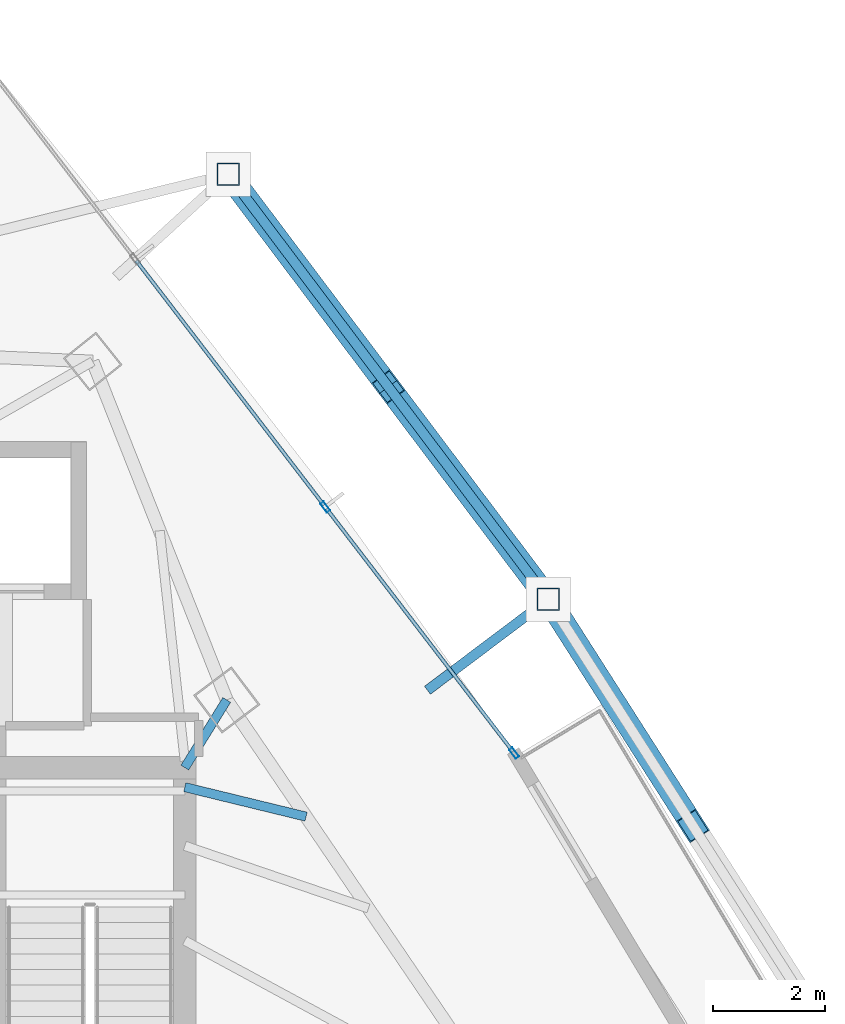
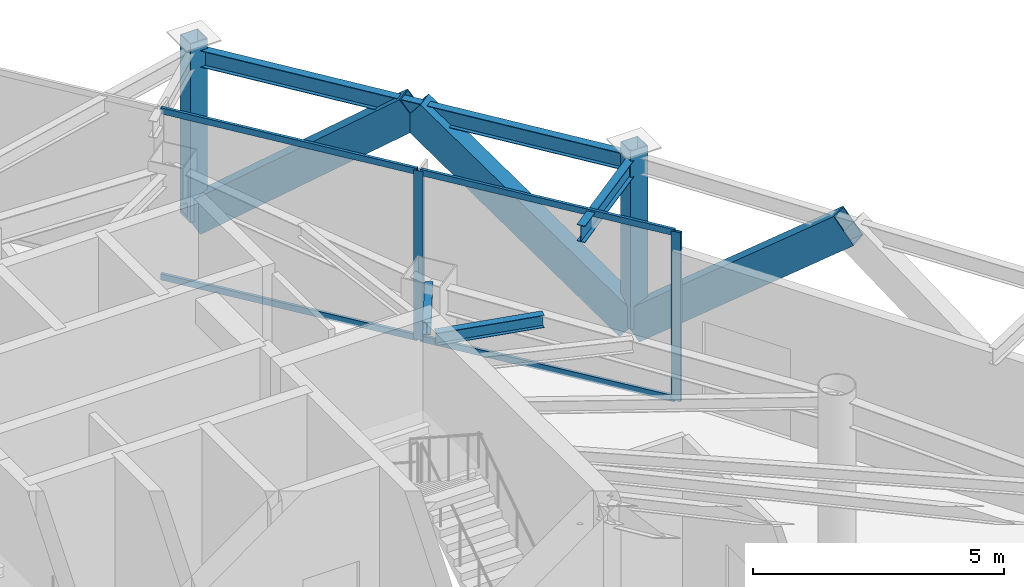
# One storey, part 22 of 28: 11 members, 4 beams, 1 element without a shape of its own.
"""IFC4 building model written with IfcOpenShell, lengths in metres."""

from ifc_helpers import new_model, si_unit, direction, frame, origin, origin_2d, place, context, subcontext, project, spatial, hollow_rectangle, i_section, extrude, material, layer, layer_set, material_profile, profile_set, type_object, element, aggregate, save


model = new_model("IFC4")

# Units and contexts
model_context = context("Model", 3, precision=1e-05, world=origin(), true_north=direction((0.0, 1.0)))
body_context = subcontext(model_context, "Body", "Model", "MODEL_VIEW")
ifc_project = project(units=[si_unit("LENGTHUNIT", "METRE"), si_unit("AREAUNIT", "SQUARE_METRE"), si_unit("VOLUMEUNIT", "CUBIC_METRE"), si_unit("PLANEANGLEUNIT", "RADIAN"), si_unit("MASSUNIT", "GRAM", prefix="KILO")], contexts=[model_context])

# Site, building, storey
site_placement = place(None, origin())
site = spatial("IfcSite", under=ifc_project, at=site_placement, CompositionType="ELEMENT")
building_placement = place(site_placement, origin())
building = spatial("IfcBuilding", under=site, at=building_placement, Name="Orvanel Arch Residences", CompositionType="ELEMENT")
storey_placement = place(building_placement, frame((0.0, 0.0, 146.300048828125)))
storey = spatial("IfcBuildingStorey", under=building, at=storey_placement, Name="L41", CompositionType="ELEMENT", Elevation=146.300048828125)

# Beams
ifc_material_1 = material(Name="Structural steel AS/NZS 3679.1 Grade 300 (300 MPa)", Category="steel")
ifc_material_profile_1 = material_profile(ifc_material_1, i_section(OverallWidth=0.1650390625, OverallDepth=0.303955078125, WebThickness=0.006103515625, FlangeThickness=0.01025390625, at=origin_2d()), Name="310UB40.4")
ifc_profile_set_1 = profile_set([ifc_material_profile_1], Name="Structural steel AS/NZS 3679.1 Grade 300 (300 MPa)")
beam_type_1 = type_object("IfcBeamType", Name="BJ-310UB", PredefinedType="JOIST", material=ifc_profile_set_1)
beam_1_placement = place(storey_placement, frame((39.60009765625, 33.89990234375, 3.9580078125), z_axis=(0.526843290616, 0.84996243866, 0.0), x_axis=(-0.84996243866, 0.526843290616, 0.0)))
element("IfcBeam", 1, at=beam_1_placement, inside=storey, type_object=beam_type_1, Name="L41 NNE Wing Floor Joist", PredefinedType="JOIST", context=body_context, shape_type="SweptSolid", body=[
    extrude(i_section(OverallWidth=0.1650390625, OverallDepth=0.303955078125, WebThickness=0.006103515625, FlangeThickness=0.01025390625, at=origin_2d()), origin(), (0.0, 0.0, 1.0), 1.42724609375),
])
beam_2_placement = place(storey_placement, frame((39.60009765625, 33.550048828125, 3.9580078125), z_axis=(0.971638471014, -0.236471312521, 0.0), x_axis=(0.236471312521, 0.971638471014, 0.0)))
element("IfcBeam", 2, at=beam_2_placement, inside=storey, type_object=beam_type_1, Name="L41 JADD4 Wing Floor Joist", PredefinedType="JOIST", context=body_context, shape_type="SweptSolid", body=[
    extrude(i_section(OverallWidth=0.1650390625, OverallDepth=0.303955078125, WebThickness=0.006103515625, FlangeThickness=0.01025390625, at=origin_2d()), origin(), (0.0, 0.0, 1.0), 2.2373046875),
])

# Members
ifc_material_2 = material(Name="Structural steel AS/NZS 3678 Grade 350", Category="steel")
ifc_material_profile_2 = material_profile(ifc_material_2, hollow_rectangle(XDim=0.419921875, YDim=0.719970703125, WallThickness=0.02490234375, at=origin_2d()), Name="RHS720x420x25")
ifc_profile_set_2 = profile_set([ifc_material_profile_2], Name="Structural steel AS/NZS 3678 Grade 350")
member_type_1 = type_object("IfcMemberType", Name="BR-720RHS-EXT", PredefinedType="BRACE", material=ifc_profile_set_2)
member_1_placement = place(storey_placement, frame((46.114990234375, 36.916015625, 0.0), z_axis=(0.41779298307, -0.654659126397, 0.629976548391), x_axis=(0.842965738778, 0.537967251091, 0.0)))
element("IfcMember", 3, at=member_1_placement, inside=storey, type_object=member_type_1, Name="L41 Exterior Sky-Garden V-Frame Chevron F3B2.2", PredefinedType="BRACE", context=body_context, shape_type="SweptSolid", body=[
    extrude(hollow_rectangle(XDim=0.419921875, YDim=0.719970703125, WallThickness=0.02490234375, at=origin_2d()), origin(), (0.0, 0.0, 1.0), 6.201904296875),
])
member_2_placement = place(storey_placement, frame((46.114990234375, 36.916015625, 0.0), z_axis=(-0.465168119663, 0.617873825301, 0.633916837177), x_axis=(-0.798904645039, -0.601457702698, 0.0)))
element("IfcMember", 4, at=member_2_placement, inside=storey, type_object=member_type_1, Name="L41 Exterior Sky-Garden V-Frame Chevron F3B3.1", PredefinedType="BRACE", context=body_context, shape_type="SweptSolid", body=[
    extrude(hollow_rectangle(XDim=0.419921875, YDim=0.719970703125, WallThickness=0.02490234375, at=origin_2d()), origin(), (0.0, 0.0, 1.0), 6.163330078125),
])
member_3_placement = place(storey_placement, frame((40.3798828125, 44.531982421875, 0.0), z_axis=(0.465334690139, -0.617792403992, 0.63387393993), x_axis=(0.798763056503, 0.60164572596, 0.0)))
element("IfcMember", 5, at=member_3_placement, inside=storey, type_object=member_type_1, Name="L41 Exterior Sky-Garden V-Frame Chevron F3B3.2", PredefinedType="BRACE", context=body_context, shape_type="SweptSolid", body=[
    extrude(hollow_rectangle(XDim=0.419921875, YDim=0.719970703125, WallThickness=0.02490234375, at=origin_2d()), origin(), (0.0, 0.0, 1.0), 6.16357421875),
])

# Curtain wall, members
ifc_material_3 = material(Name="Bronze-anodised aluminium AA6063-T6", Category="aluminium")
ifc_layer = layer(ifc_material_3, 0.195068359375)
ifc_layer_set = layer_set([ifc_layer], Name="Bronze-anodised aluminium AA6063-T6")
curtain_wall_type = type_object("IfcCurtainWallType", Name="CW6-COM-SYS", PredefinedType="NOTDEFINED", material=ifc_layer_set)
curtain_wall_placement = place(storey_placement, origin())
curtain_wall = element("IfcCurtainWall", 6, at=curtain_wall_placement, inside=storey, type_object=curtain_wall_type, Name="L41 CW6-COM-SYS Unitised Curtain Wall", PredefinedType="NOTDEFINED")
ifc_material_profile_3 = material_profile(ifc_material_3, hollow_rectangle(XDim=0.074951171875, YDim=0.199951171875, WallThickness=0.0048828125, at=origin_2d()), Name="ALU200x75x5")
ifc_profile_set_3 = profile_set([ifc_material_profile_3], Name="Bronze-anodised aluminium AA6063-T6")
member_type_2 = type_object("IfcMemberType", Name="MUL-200x75", PredefinedType="MULLION", material=ifc_profile_set_3)
member_4_placement = place(storey_placement, frame((45.502197265625, 34.15966796875, 0.0), z_axis=(0.0, 0.0, 1.0), x_axis=(-0.793400272158, -0.608700261327, 0.0)))
member_4 = element("IfcMember", 7, at=member_4_placement, type_object=member_type_2, Name="CW-S6 mullion 1", PredefinedType="MULLION", context=body_context, shape_type="SweptSolid", body=[
    extrude(hollow_rectangle(XDim=0.074951171875, YDim=0.199951171875, WallThickness=0.0048828125, at=origin_2d()), origin(), (0.0, 0.0, 1.0), 4.10986328125),
])
member_5_placement = place(storey_placement, frame((42.117431640625, 38.57177734375, 0.0), z_axis=(0.0, 0.0, 1.0), x_axis=(-0.793400272158, -0.608700261327, 0.0)))
member_5 = element("IfcMember", 8, at=member_5_placement, type_object=member_type_2, Name="CW-S6 mullion 2", PredefinedType="MULLION", context=body_context, shape_type="SweptSolid", body=[
    extrude(hollow_rectangle(XDim=0.074951171875, YDim=0.199951171875, WallThickness=0.0048828125, at=origin_2d()), origin(), (0.0, 0.0, 1.0), 4.10986328125),
])

# Beams
ifc_material_profile_4 = material_profile(ifc_material_1, i_section(OverallWidth=0.177978515625, OverallDepth=0.406005859375, WebThickness=0.0078125, FlangeThickness=0.0126953125, at=origin_2d()), Name="410UB59.7")
ifc_profile_set_4 = profile_set([ifc_material_profile_4], Name="Structural steel AS/NZS 3679.1 Grade 300 (300 MPa)")
beam_type_2 = type_object("IfcBeamType", Name="OB-410UB-EXT", PredefinedType="SPANDREL", material=ifc_profile_set_4)
beam_3_placement = place(storey_placement, frame((43.948974609375, 35.285888671875, 3.906982421875), z_axis=(0.799004648769, 0.601324846689, 0.0), x_axis=(-0.601324846689, 0.799004648769, 0.0)))
element("IfcBeam", 9, at=beam_3_placement, inside=storey, type_object=beam_type_2, Name="L41 Outer Frame Radial Tie Beam 11", PredefinedType="SPANDREL", context=body_context, shape_type="SweptSolid", body=[
    extrude(i_section(OverallWidth=0.177978515625, OverallDepth=0.406005859375, WebThickness=0.0078125, FlangeThickness=0.0126953125, at=origin_2d()), origin(), (0.0, 0.0, 1.0), 2.7109375),
])
beam_4_placement = place(storey_placement, frame((46.114990234375, 36.916015625, 3.906982421875), z_axis=(-0.601551723813, 0.798833852298, 0.0), x_axis=(-0.798833852298, -0.601551723813, 0.0)))
element("IfcBeam", 10, at=beam_4_placement, inside=storey, type_object=beam_type_2, Name="L41 Outer Perimeter Floor Ring Beam 11", PredefinedType="SPANDREL", context=body_context, shape_type="SweptSolid", body=[
    extrude(i_section(OverallWidth=0.177978515625, OverallDepth=0.406005859375, WebThickness=0.0078125, FlangeThickness=0.0126953125, at=origin_2d()), origin(), (0.0, 0.0, 1.0), 9.533935546875),
])

# Members
ifc_material_4 = material(Name="Structural steel AS/NZS 1163 C450L0 (Grade 450)", Category="steel")
ifc_material_profile_5 = material_profile(ifc_material_4, hollow_rectangle(XDim=0.39990234375, YDim=0.39990234375, WallThickness=0.01611328125, at=origin_2d()), Name="SHS400x400x16")
ifc_profile_set_5 = profile_set([ifc_material_profile_5], Name="Structural steel AS/NZS 1163 C450L0 (Grade 450)")
member_type_3 = type_object("IfcMemberType", Name="ST-400SHS-EXT", PredefinedType="STRUT", material=ifc_profile_set_5)
for number, where, z_axis, x_axis, name in (
    (11, (46.114990234375, 36.916015625, 0.0), (0.0, 0.0, 1.0), (1.0, 0.0, 0.0), "L41 Outer Perimeter Frame Post 11"),
    (12, (40.3798828125, 44.531982421875, 0.0), (0.0, 0.0, 1.0), (1.0, 0.0, 0.0), "L41 Outer Perimeter Frame Post 12"),
):
    element("IfcMember", number, at=place(storey_placement, frame(where, z_axis=z_axis, x_axis=x_axis)), inside=storey, type_object=member_type_3, Name=name, PredefinedType="STRUT", context=body_context, shape_type="SweptSolid", body=[
        extrude(hollow_rectangle(XDim=0.39990234375, YDim=0.39990234375, WallThickness=0.01611328125, at=origin_2d()), origin(), (0.0, 0.0, 1.0), 4.349853515625),
    ])

# Member
ifc_material_profile_6 = material_profile(ifc_material_3, hollow_rectangle(XDim=0.06494140625, YDim=0.14990234375, WallThickness=0.00390625, at=origin_2d()), Name="ALU150x65x4")
ifc_profile_set_6 = profile_set([ifc_material_profile_6], Name="Bronze-anodised aluminium AA6063-T6")
member_type_4 = type_object("IfcMemberType", Name="TRN-150x65", PredefinedType="USERDEFINED", material=ifc_profile_set_6)
member_6_placement = place(storey_placement, frame((45.479248046875, 34.189453125, 0.032470703125), z_axis=(-0.608680038132, 0.793415787075, 0.0), x_axis=(-0.793415787075, -0.608680038132, 0.0)))
member_6 = element("IfcMember", 13, at=member_6_placement, type_object=member_type_4, Name="CW-S6 transom 1.1", ObjectType="TRANSOM", PredefinedType="USERDEFINED", context=body_context, shape_type="SweptSolid", body=[
    extrude(hollow_rectangle(XDim=0.06494140625, YDim=0.14990234375, WallThickness=0.00390625, at=origin_2d()), origin(), (0.0, 0.0, 1.0), 5.48583984375),
])

member_7_placement = place(storey_placement, frame((45.479248046875, 34.189453125, 4.077392578125), z_axis=(-0.608680038132, 0.793415787075, 0.0), x_axis=(-0.793415787075, -0.608680038132, 0.0)))
member_7 = element("IfcMember", 14, at=member_7_placement, type_object=member_type_4, Name="CW-S6 transom 1.2", ObjectType="TRANSOM", PredefinedType="USERDEFINED", context=body_context, shape_type="SweptSolid", body=[
    extrude(hollow_rectangle(XDim=0.06494140625, YDim=0.14990234375, WallThickness=0.00390625, at=origin_2d()), origin(), (0.0, 0.0, 1.0), 5.48583984375),
])

member_8_placement = place(storey_placement, frame((42.094482421875, 38.601318359375, 0.032470703125), z_axis=(-0.60869133471, 0.793407120619, 0.0), x_axis=(-0.793407120619, -0.60869133471, 0.0)))
member_8 = element("IfcMember", 15, at=member_8_placement, type_object=member_type_4, Name="CW-S6 transom 2.1", ObjectType="TRANSOM", PredefinedType="USERDEFINED", context=body_context, shape_type="SweptSolid", body=[
    extrude(hollow_rectangle(XDim=0.06494140625, YDim=0.14990234375, WallThickness=0.00390625, at=origin_2d()), origin(), (0.0, 0.0, 1.0), 5.5234375),
])

member_9_placement = place(storey_placement, frame((42.094482421875, 38.601318359375, 4.077392578125), z_axis=(-0.60869133471, 0.793407120619, 0.0), x_axis=(-0.793407120619, -0.60869133471, 0.0)))
member_9 = element("IfcMember", 16, at=member_9_placement, type_object=member_type_4, Name="CW-S6 transom 2.2", ObjectType="TRANSOM", PredefinedType="USERDEFINED", context=body_context, shape_type="SweptSolid", body=[
    extrude(hollow_rectangle(XDim=0.06494140625, YDim=0.14990234375, WallThickness=0.00390625, at=origin_2d()), origin(), (0.0, 0.0, 1.0), 5.5234375),
])

aggregate(curtain_wall, [member_4, member_5, member_6, member_7, member_8, member_9])

save(model, "model.ifc")
